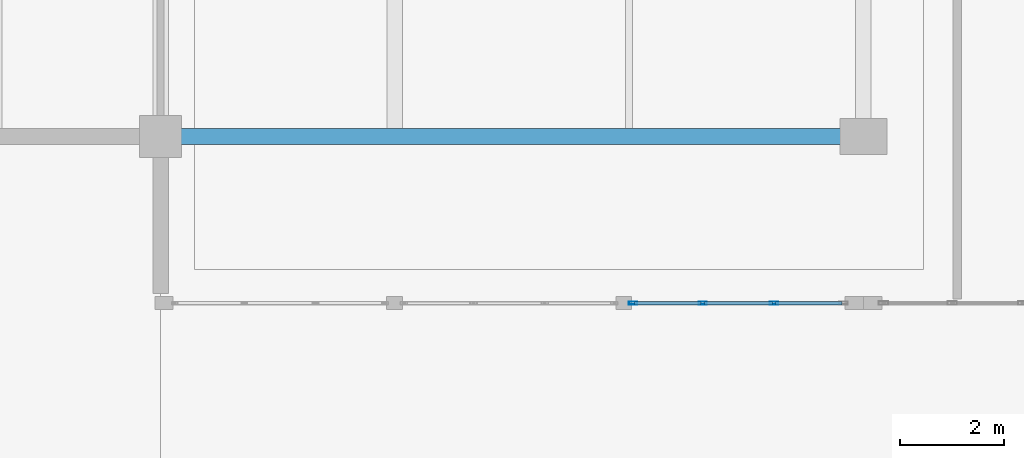
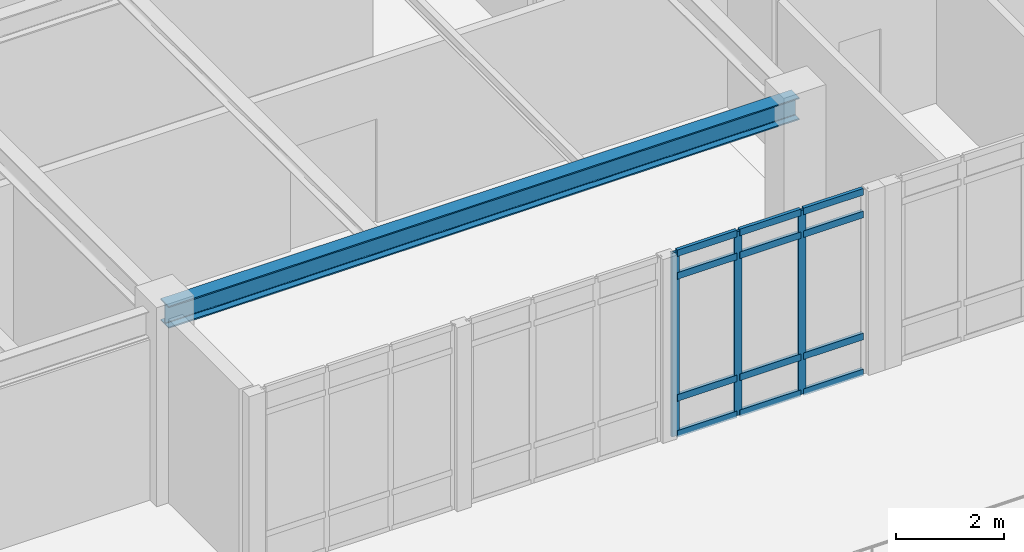
# One storey, part 7 of 55: 15 members, 1 beam, 1 element without a shape of its own.
"""IFC4 building model written with IfcOpenShell, lengths in metres."""

from ifc_helpers import new_model, si_unit, direction, frame, origin, origin_2d, place, context, subcontext, project, spatial, hollow_rectangle, i_section, extrude, material, layer, layer_set, material_profile, profile_set, type_object, element, aggregate, save


model = new_model("IFC4")

# Units and contexts
model_context = context("Model", 3, precision=1e-05, world=origin(), true_north=direction((0.0, 1.0)))
body_context = subcontext(model_context, "Body", "Model", "MODEL_VIEW")
ifc_project = project(units=[si_unit("LENGTHUNIT", "METRE"), si_unit("AREAUNIT", "SQUARE_METRE"), si_unit("VOLUMEUNIT", "CUBIC_METRE"), si_unit("PLANEANGLEUNIT", "RADIAN"), si_unit("MASSUNIT", "GRAM", prefix="KILO")], contexts=[model_context])

# Site, building, storey
site_placement = place(None, origin())
site = spatial("IfcSite", under=ifc_project, at=site_placement, CompositionType="ELEMENT")
building_placement = place(site_placement, origin())
building = spatial("IfcBuilding", under=site, at=building_placement, Name="Fikremerkos Civic Library", CompositionType="ELEMENT")
storey_placement = place(building_placement, frame((0.0, 0.0, 18.89990234375)))
storey = spatial("IfcBuildingStorey", under=building, at=storey_placement, Name="L04", CompositionType="ELEMENT", Elevation=18.89990234375)

# Curtain wall, members
ifc_material_1 = material(Name="Anodized aluminium Frame", Category="aluminium")
ifc_layer = layer(ifc_material_1, 0.159912109375, Name="Anodized aluminium Frame")
ifc_layer_set = layer_set([ifc_layer], Name="Anodized aluminium Frame")
curtain_wall_type = type_object("IfcCurtainWallType", Name="Unitised curtain wall CW-10 4000x3400", PredefinedType="USERDEFINED", material=ifc_layer_set)
curtain_wall_placement = place(storey_placement, origin())
curtain_wall = element("IfcCurtainWall", 1, at=curtain_wall_placement, inside=storey, type_object=curtain_wall_type, Name="Unitised curtain wall CW-10 L04 #226", ObjectType="UNITISED CURTAIN WALL", PredefinedType="USERDEFINED")
ifc_material_profile_1 = material_profile(ifc_material_1, hollow_rectangle(XDim=0.06005859375, YDim=0.159912109375, WallThickness=0.00390625, at=origin_2d()), Name="ALU 160x60x4")
ifc_profile_set_1 = profile_set([ifc_material_profile_1], Name="Anodized aluminium Frame")
member_type_1 = type_object("IfcMemberType", Name="Curtain mullion CWM-02 ALU 160x60x4", PredefinedType="MULLION", material=ifc_profile_set_1)
member_1_placement = place(storey_placement, frame((30.98046875, 8.800048828125, 0.0), z_axis=(0.0, 0.0, 1.0), x_axis=(0.0, -1.0, 0.0)))
member_1 = element("IfcMember", 2, at=member_1_placement, type_object=member_type_1, Name="CW-10 mullion 2", PredefinedType="MULLION", context=body_context, shape_type="SweptSolid", body=[
    extrude(hollow_rectangle(XDim=0.06005859375, YDim=0.159912109375, WallThickness=0.00390625, at=origin_2d()), origin(), (0.0, 0.0, 1.0), 4.16015625),
])
member_2_placement = place(storey_placement, frame((29.61279296875, 8.800048828125, 0.0), z_axis=(0.0, 0.0, 1.0), x_axis=(0.0, -1.0, 0.0)))
member_2 = element("IfcMember", 3, at=member_2_placement, type_object=member_type_1, Name="CW-10 mullion 3", PredefinedType="MULLION", context=body_context, shape_type="SweptSolid", body=[
    extrude(hollow_rectangle(XDim=0.06005859375, YDim=0.159912109375, WallThickness=0.00390625, at=origin_2d()), origin(), (0.0, 0.0, 1.0), 4.16015625),
])
member_3_placement = place(storey_placement, frame((28.275390625, 8.800048828125, 0.0), z_axis=(0.0, 0.0, 1.0), x_axis=(0.0, -1.0, 0.0)))
member_3 = element("IfcMember", 4, at=member_3_placement, type_object=member_type_1, Name="CW-10 mullion 4", PredefinedType="MULLION", context=body_context, shape_type="SweptSolid", body=[
    extrude(hollow_rectangle(XDim=0.06005859375, YDim=0.159912109375, WallThickness=0.00390625, at=origin_2d()), origin(), (0.0, 0.0, 1.0), 4.16015625),
])
ifc_material_profile_2 = material_profile(ifc_material_1, hollow_rectangle(XDim=0.070068359375, YDim=0.14990234375, WallThickness=0.00439453125, at=origin_2d()), Name="ALU 150x70x4.5")
ifc_profile_set_2 = profile_set([ifc_material_profile_2], Name="Anodized aluminium Frame")
member_type_2 = type_object("IfcMemberType", Name="Curtain transom CWT-01 ALU 150x70x4.5", PredefinedType="USERDEFINED", material=ifc_profile_set_2)
member_4_placement = place(storey_placement, frame((32.2880859375, 8.800048828125, 0.03515625), z_axis=(-1.0, 0.0, 0.0), x_axis=(0.0, -1.0, 0.0)))
member_4 = element("IfcMember", 5, at=member_4_placement, type_object=member_type_2, Name="CW-10 transom 1.1", ObjectType="TRANSOM", PredefinedType="USERDEFINED", context=body_context, shape_type="SweptSolid", body=[
    extrude(hollow_rectangle(XDim=0.070068359375, YDim=0.14990234375, WallThickness=0.00439453125, at=origin_2d()), origin(), (0.0, 0.0, 1.0), 1.277587890625),
])
member_5_placement = place(storey_placement, frame((32.2880859375, 8.800048828125, 0.85009765625), z_axis=(-1.0, 0.0, 0.0), x_axis=(0.0, -1.0, 0.0)))
member_5 = element("IfcMember", 6, at=member_5_placement, type_object=member_type_2, Name="CW-10 transom 1.2", ObjectType="TRANSOM", PredefinedType="USERDEFINED", context=body_context, shape_type="SweptSolid", body=[
    extrude(hollow_rectangle(XDim=0.070068359375, YDim=0.14990234375, WallThickness=0.00439453125, at=origin_2d()), origin(), (0.0, 0.0, 1.0), 1.277587890625),
])
member_6_placement = place(storey_placement, frame((32.2880859375, 8.800048828125, 3.610107421875), z_axis=(-1.0, 0.0, 0.0), x_axis=(0.0, -1.0, 0.0)))
member_6 = element("IfcMember", 7, at=member_6_placement, type_object=member_type_2, Name="CW-10 transom 1.3", ObjectType="TRANSOM", PredefinedType="USERDEFINED", context=body_context, shape_type="SweptSolid", body=[
    extrude(hollow_rectangle(XDim=0.070068359375, YDim=0.14990234375, WallThickness=0.00439453125, at=origin_2d()), origin(), (0.0, 0.0, 1.0), 1.277587890625),
])
member_7_placement = place(storey_placement, frame((32.2880859375, 8.800048828125, 4.125), z_axis=(-1.0, 0.0, 0.0), x_axis=(0.0, -1.0, 0.0)))
member_7 = element("IfcMember", 8, at=member_7_placement, type_object=member_type_2, Name="CW-10 transom 1.4", ObjectType="TRANSOM", PredefinedType="USERDEFINED", context=body_context, shape_type="SweptSolid", body=[
    extrude(hollow_rectangle(XDim=0.070068359375, YDim=0.14990234375, WallThickness=0.00439453125, at=origin_2d()), origin(), (0.0, 0.0, 1.0), 1.277587890625),
])
member_8_placement = place(storey_placement, frame((30.950439453125, 8.800048828125, 0.03515625), z_axis=(-1.0, 0.0, 0.0), x_axis=(0.0, -1.0, 0.0)))
member_8 = element("IfcMember", 9, at=member_8_placement, type_object=member_type_2, Name="CW-10 transom 2.1", ObjectType="TRANSOM", PredefinedType="USERDEFINED", context=body_context, shape_type="SweptSolid", body=[
    extrude(hollow_rectangle(XDim=0.070068359375, YDim=0.14990234375, WallThickness=0.00439453125, at=origin_2d()), origin(), (0.0, 0.0, 1.0), 1.3076171875),
])
member_9_placement = place(storey_placement, frame((30.950439453125, 8.800048828125, 0.85009765625), z_axis=(-1.0, 0.0, 0.0), x_axis=(0.0, -1.0, 0.0)))
member_9 = element("IfcMember", 10, at=member_9_placement, type_object=member_type_2, Name="CW-10 transom 2.2", ObjectType="TRANSOM", PredefinedType="USERDEFINED", context=body_context, shape_type="SweptSolid", body=[
    extrude(hollow_rectangle(XDim=0.070068359375, YDim=0.14990234375, WallThickness=0.00439453125, at=origin_2d()), origin(), (0.0, 0.0, 1.0), 1.3076171875),
])
member_10_placement = place(storey_placement, frame((30.950439453125, 8.800048828125, 3.610107421875), z_axis=(-1.0, 0.0, 0.0), x_axis=(0.0, -1.0, 0.0)))
member_10 = element("IfcMember", 11, at=member_10_placement, type_object=member_type_2, Name="CW-10 transom 2.3", ObjectType="TRANSOM", PredefinedType="USERDEFINED", context=body_context, shape_type="SweptSolid", body=[
    extrude(hollow_rectangle(XDim=0.070068359375, YDim=0.14990234375, WallThickness=0.00439453125, at=origin_2d()), origin(), (0.0, 0.0, 1.0), 1.3076171875),
])
member_11_placement = place(storey_placement, frame((30.950439453125, 8.800048828125, 4.125), z_axis=(-1.0, 0.0, 0.0), x_axis=(0.0, -1.0, 0.0)))
member_11 = element("IfcMember", 12, at=member_11_placement, type_object=member_type_2, Name="CW-10 transom 2.4", ObjectType="TRANSOM", PredefinedType="USERDEFINED", context=body_context, shape_type="SweptSolid", body=[
    extrude(hollow_rectangle(XDim=0.070068359375, YDim=0.14990234375, WallThickness=0.00439453125, at=origin_2d()), origin(), (0.0, 0.0, 1.0), 1.3076171875),
])
member_12_placement = place(storey_placement, frame((29.5830078125, 8.800048828125, 0.03515625), z_axis=(-1.0, 0.0, 0.0), x_axis=(0.0, -1.0, 0.0)))
member_12 = element("IfcMember", 13, at=member_12_placement, type_object=member_type_2, Name="CW-10 transom 3.1", ObjectType="TRANSOM", PredefinedType="USERDEFINED", context=body_context, shape_type="SweptSolid", body=[
    extrude(hollow_rectangle(XDim=0.070068359375, YDim=0.14990234375, WallThickness=0.00439453125, at=origin_2d()), origin(), (0.0, 0.0, 1.0), 1.277587890625),
])
member_13_placement = place(storey_placement, frame((29.5830078125, 8.800048828125, 0.85009765625), z_axis=(-1.0, 0.0, 0.0), x_axis=(0.0, -1.0, 0.0)))
member_13 = element("IfcMember", 14, at=member_13_placement, type_object=member_type_2, Name="CW-10 transom 3.2", ObjectType="TRANSOM", PredefinedType="USERDEFINED", context=body_context, shape_type="SweptSolid", body=[
    extrude(hollow_rectangle(XDim=0.070068359375, YDim=0.14990234375, WallThickness=0.00439453125, at=origin_2d()), origin(), (0.0, 0.0, 1.0), 1.277587890625),
])
member_14_placement = place(storey_placement, frame((29.5830078125, 8.800048828125, 3.610107421875), z_axis=(-1.0, 0.0, 0.0), x_axis=(0.0, -1.0, 0.0)))
member_14 = element("IfcMember", 15, at=member_14_placement, type_object=member_type_2, Name="CW-10 transom 3.3", ObjectType="TRANSOM", PredefinedType="USERDEFINED", context=body_context, shape_type="SweptSolid", body=[
    extrude(hollow_rectangle(XDim=0.070068359375, YDim=0.14990234375, WallThickness=0.00439453125, at=origin_2d()), origin(), (0.0, 0.0, 1.0), 1.277587890625),
])
member_15_placement = place(storey_placement, frame((29.5830078125, 8.800048828125, 4.125), z_axis=(-1.0, 0.0, 0.0), x_axis=(0.0, -1.0, 0.0)))
member_15 = element("IfcMember", 16, at=member_15_placement, type_object=member_type_2, Name="CW-10 transom 3.4", ObjectType="TRANSOM", PredefinedType="USERDEFINED", context=body_context, shape_type="SweptSolid", body=[
    extrude(hollow_rectangle(XDim=0.070068359375, YDim=0.14990234375, WallThickness=0.00439453125, at=origin_2d()), origin(), (0.0, 0.0, 1.0), 1.277587890625),
])
aggregate(curtain_wall, [member_1, member_2, member_3, member_4, member_5, member_6, member_7, member_8, member_9, member_10, member_11, member_12, member_13, member_14, member_15])

# Beam
ifc_material_2 = material(Name="Steel S355", Category="steel")
ifc_material_profile_3 = material_profile(ifc_material_2, i_section(OverallWidth=0.300048828125, OverallDepth=0.5, WebThickness=0.014404296875, FlangeThickness=0.028076171875, FilletRadius=0.027099609375, at=origin_2d()), Name="HEB 500")
ifc_profile_set_3 = profile_set([ifc_material_profile_3], Name="Steel S355")
beam_type = type_object("IfcBeamType", Name="Primary girder BM-22 HEB 500", PredefinedType="BEAM", material=ifc_profile_set_3)
beam_placement = place(storey_placement, frame((19.199951171875, 12.0, 3.989990234375), z_axis=(1.0, 0.0, 0.0), x_axis=(0.0, 1.0, 0.0)))
element("IfcBeam", 17, at=beam_placement, inside=storey, type_object=beam_type, Name="Primary girder BM-22 L04 grid E", PredefinedType="BEAM", context=body_context, shape_type="SweptSolid", body=[
    extrude(i_section(OverallWidth=0.300048828125, OverallDepth=0.5, WebThickness=0.014404296875, FlangeThickness=0.028076171875, FilletRadius=0.027099609375, at=origin_2d()), origin(), (0.0, 0.0, 1.0), 13.5),
])

save(model, "model.ifc")
